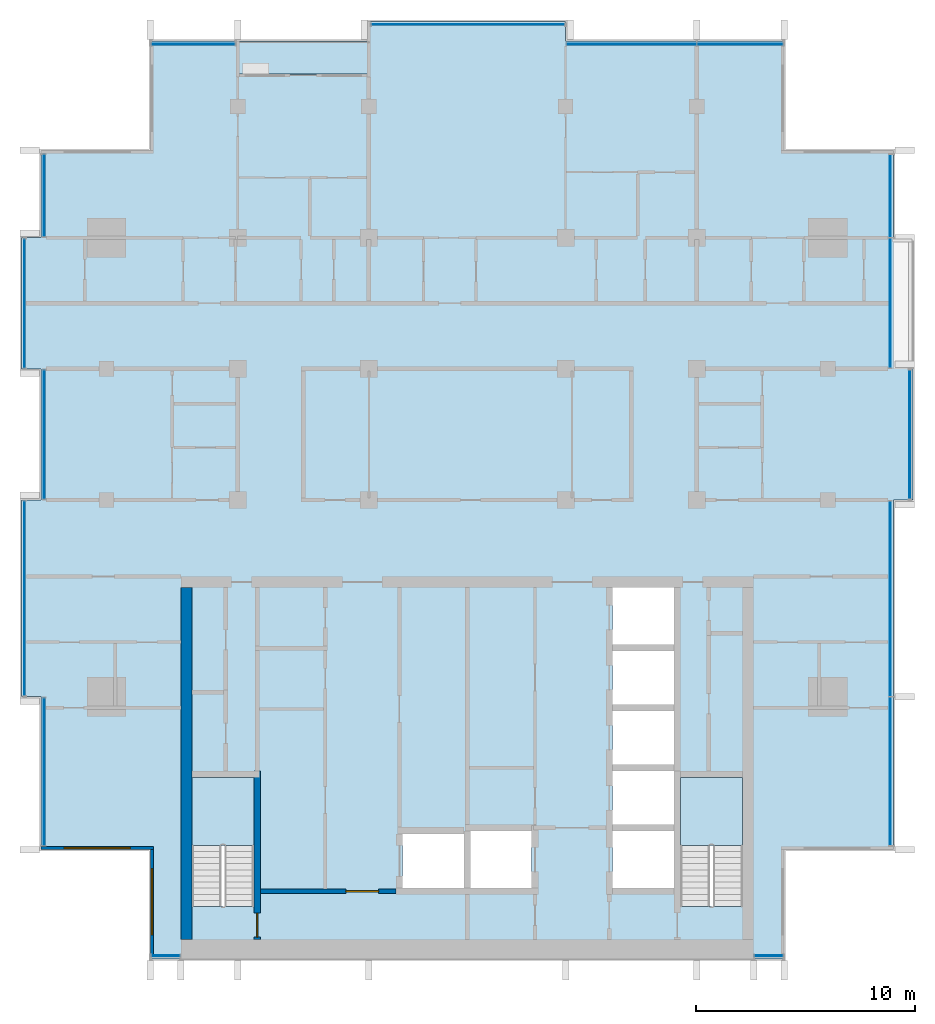
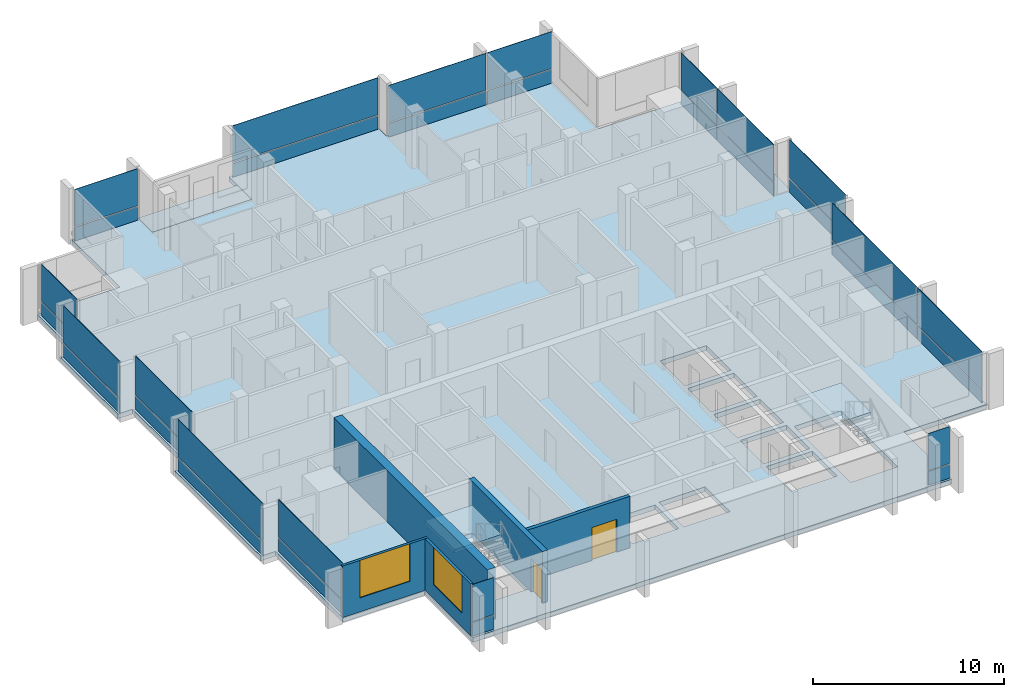
# One storey, part 6 of 16: 32 plates, 5 walls, 4 slabs, 2 doors, 2 windows, 4 openings, 15 elements without a shape of their own.
"""IFC4 building model written with IfcOpenShell, lengths in metres."""

from ifc_helpers import new_model, si_unit, direction, frame, frame_2d, origin, origin_2d, place, context, subcontext, project, spatial, polyline, rectangle, outline, extrude, material, layer, layer_set, type_object, element, fill, aggregate, save


model = new_model("IFC4")

# Units and contexts
model_context = context("Model", 3, precision=1e-05, world=origin(), true_north=direction((0.0, 1.0)))
body_context = subcontext(model_context, "Body", "Model", "MODEL_VIEW")
ifc_project = project(units=[si_unit("LENGTHUNIT", "METRE"), si_unit("AREAUNIT", "SQUARE_METRE"), si_unit("VOLUMEUNIT", "CUBIC_METRE"), si_unit("PLANEANGLEUNIT", "RADIAN"), si_unit("MASSUNIT", "GRAM", prefix="KILO")], contexts=[model_context])

# Site, building, storey
site_placement = place(None, origin())
site = spatial("IfcSite", under=ifc_project, at=site_placement, CompositionType="ELEMENT")
building_placement = place(site_placement, origin())
building = spatial("IfcBuilding", under=site, at=building_placement, Name="Finial Court Residences", CompositionType="ELEMENT")
storey_placement = place(building_placement, frame((0.0, 0.0, 291.5)))
storey = spatial("IfcBuildingStorey", under=building, at=storey_placement, Name="L74", CompositionType="ELEMENT", Elevation=291.5)

# Slab
ifc_material_1 = material(Name="Concrete C35/45", Category="concrete")
ifc_layer_1 = layer(ifc_material_1, 0.199951171875)
ifc_layer_set_1 = layer_set([ifc_layer_1], Name="Balcony slab, Concrete C35/45 200")
slab_type_1 = type_object("IfcSlabType", Name="Balcony slab, Concrete C35/45 200", PredefinedType="FLOOR", material=ifc_layer_set_1)
slab_1_placement = place(storey_placement, frame((0.0, 0.0, -0.199951171875)))
element("IfcSlab", 1, at=slab_1_placement, inside=storey, type_object=slab_type_1, Name="Balcony L74-N2", PredefinedType="FLOOR", context=body_context, shape_type="SweptSolid", body=[
    extrude(outline(polyline([(-4.5, 15.0), (-4.5, 16.5), (-10.5, 16.5), (-10.5, 15.0), (-4.5, 15.0)])), origin(), (0.0, 0.0, 1.0), 0.199951171875),
])

# Curtain wall, plate
ifc_material_2 = material(Name="Bronze anodised aluminium", Category="aluminium")
curtain_wall_type = type_object("IfcCurtainWallType", Name="Unitised curtain wall, upper zones", PredefinedType="NOTDEFINED", material=ifc_material_2)
curtain_wall_1_placement = place(storey_placement, origin())
curtain_wall_1 = element("IfcCurtainWall", 2, at=curtain_wall_1_placement, inside=storey, type_object=curtain_wall_type, Name="E-L74-CW-N1", PredefinedType="NOTDEFINED")
ifc_layer_2 = layer(ifc_material_2, 0.035888671875)
ifc_layer_set_2 = layer_set([ifc_layer_2], Name="CW2 spandrel panel 36")
plate_type_1 = type_object("IfcPlateType", Name="CW2 spandrel panel 36", PredefinedType="CURTAIN_PANEL", material=ifc_layer_set_2)
plate_1_placement = place(storey_placement, frame((-12.53759765625, 16.35009765625, 0.0), z_axis=(0.0, 0.0, 1.0), x_axis=(1.0, 0.0, 0.0)))
plate_1 = element("IfcPlate", 3, at=plate_1_placement, type_object=plate_type_1, Name="CW2 spandrel 1.1", PredefinedType="CURTAIN_PANEL", context=body_context, shape_type="SweptSolid", body=[
    extrude(rectangle(XDim=3.804931640625, YDim=0.035888671875, at=origin_2d()), origin(), (0.0, 0.0, 1.0), 0.8701171875),
])

curtain_wall_2_placement = place(storey_placement, origin())
curtain_wall_2 = element("IfcCurtainWall", 4, at=curtain_wall_2_placement, inside=storey, type_object=curtain_wall_type, Name="E-L74-CW-N2", PredefinedType="NOTDEFINED")
plate_2_placement = place(storey_placement, frame((0.03759765625, 17.25, 0.0), z_axis=(0.0, 0.0, 1.0), x_axis=(1.0, 0.0, 0.0)))
plate_2 = element("IfcPlate", 5, at=plate_2_placement, type_object=plate_type_1, Name="CW2 spandrel 1.1", PredefinedType="CURTAIN_PANEL", context=body_context, shape_type="SweptSolid", body=[
    extrude(rectangle(XDim=8.804931640625, YDim=0.035888671875, at=origin_2d()), origin(), (0.0, 0.0, 1.0), 0.8701171875),
])

# Curtain wall, plates
curtain_wall_3_placement = place(storey_placement, origin())
curtain_wall_3 = element("IfcCurtainWall", 6, at=curtain_wall_3_placement, inside=storey, type_object=curtain_wall_type, Name="E-L74-CW-N3", PredefinedType="NOTDEFINED")
plate_3_placement = place(storey_placement, frame((7.514892578125, 16.35009765625, 0.0), z_axis=(0.0, 0.0, 1.0), x_axis=(1.0, 0.0, 0.0)))
plate_3 = element("IfcPlate", 7, at=plate_3_placement, type_object=plate_type_1, Name="CW2 spandrel 1.1", PredefinedType="CURTAIN_PANEL", context=body_context, shape_type="SweptSolid", body=[
    extrude(rectangle(XDim=5.909912109375, YDim=0.035888671875, at=origin_2d()), origin(), (0.0, 0.0, 1.0), 0.8701171875),
])
plate_4_placement = place(storey_placement, frame((12.485107421875, 16.35009765625, 0.0), z_axis=(0.0, 0.0, 1.0), x_axis=(1.0, 0.0, 0.0)))
plate_4 = element("IfcPlate", 8, at=plate_4_placement, type_object=plate_type_1, Name="CW2 spandrel 2.1", PredefinedType="CURTAIN_PANEL", context=body_context, shape_type="SweptSolid", body=[
    extrude(rectangle(XDim=3.909912109375, YDim=0.035888671875, at=origin_2d()), origin(), (0.0, 0.0, 1.0), 0.8701171875),
])

curtain_wall_4_placement = place(storey_placement, origin())
curtain_wall_4 = element("IfcCurtainWall", 9, at=curtain_wall_4_placement, inside=storey, type_object=curtain_wall_type, Name="E-L74-CW-E4", PredefinedType="NOTDEFINED")
plate_5_placement = place(storey_placement, frame((19.35009765625, -16.909912109375, 0.0), z_axis=(0.0, 0.0, 1.0), x_axis=(0.0, 1.0, 0.0)))
plate_5 = element("IfcPlate", 10, at=plate_5_placement, type_object=plate_type_1, Name="CW2 spandrel 1.1", PredefinedType="CURTAIN_PANEL", context=body_context, shape_type="SweptSolid", body=[
    extrude(rectangle(XDim=6.760009765625, YDim=0.035888671875, at=origin_2d()), origin(), (0.0, 0.0, 1.0), 0.8701171875),
])
plate_6_placement = place(storey_placement, frame((19.35009765625, -9.014892578125, 0.0), z_axis=(0.0, 0.0, 1.0), x_axis=(0.0, 1.0, 0.0)))
plate_6 = element("IfcPlate", 11, at=plate_6_placement, type_object=plate_type_1, Name="CW2 spandrel 2.1", PredefinedType="CURTAIN_PANEL", context=body_context, shape_type="SweptSolid", body=[
    extrude(rectangle(XDim=8.909912109375, YDim=0.035888671875, at=origin_2d()), origin(), (0.0, 0.0, 1.0), 0.8701171875),
])

# Curtain wall, plate
curtain_wall_5_placement = place(storey_placement, origin())
curtain_wall_5 = element("IfcCurtainWall", 12, at=curtain_wall_5_placement, inside=storey, type_object=curtain_wall_type, Name="E-L74-CW-E5", PredefinedType="NOTDEFINED")
plate_7_placement = place(storey_placement, frame((20.25, -1.5, 0.0), z_axis=(0.0, 0.0, 1.0), x_axis=(0.0, 1.0, 0.0)))
plate_7 = element("IfcPlate", 13, at=plate_7_placement, type_object=plate_type_1, Name="CW2 spandrel 1.1", PredefinedType="CURTAIN_PANEL", context=body_context, shape_type="SweptSolid", body=[
    extrude(rectangle(XDim=5.8798828125, YDim=0.035888671875, at=origin_2d()), origin(), (0.0, 0.0, 1.0), 0.8701171875),
])

# Curtain wall, plates
curtain_wall_6_placement = place(storey_placement, origin())
curtain_wall_6 = element("IfcCurtainWall", 14, at=curtain_wall_6_placement, inside=storey, type_object=curtain_wall_type, Name="E-L74-CW-E6", PredefinedType="NOTDEFINED")
plate_8_placement = place(storey_placement, frame((19.35009765625, 4.514892578125, 0.0), z_axis=(0.0, 0.0, 1.0), x_axis=(0.0, 1.0, 0.0)))
plate_8 = element("IfcPlate", 15, at=plate_8_placement, type_object=plate_type_1, Name="CW2 spandrel 1.1", PredefinedType="CURTAIN_PANEL", context=body_context, shape_type="SweptSolid", body=[
    extrude(rectangle(XDim=5.909912109375, YDim=0.035888671875, at=origin_2d()), origin(), (0.0, 0.0, 1.0), 0.8701171875),
])
plate_9_placement = place(storey_placement, frame((19.35009765625, 9.409912109375, 0.0), z_axis=(0.0, 0.0, 1.0), x_axis=(0.0, 1.0, 0.0)))
plate_9 = element("IfcPlate", 16, at=plate_9_placement, type_object=plate_type_1, Name="CW2 spandrel 2.1", PredefinedType="CURTAIN_PANEL", context=body_context, shape_type="SweptSolid", body=[
    extrude(rectangle(XDim=3.760009765625, YDim=0.035888671875, at=origin_2d()), origin(), (0.0, 0.0, 1.0), 0.8701171875),
])

# Curtain wall, plate
curtain_wall_7_placement = place(storey_placement, origin())
curtain_wall_7 = element("IfcCurtainWall", 17, at=curtain_wall_7_placement, inside=storey, type_object=curtain_wall_type, Name="E-L74-CW-S7", PredefinedType="NOTDEFINED")
plate_10_placement = place(storey_placement, frame((-13.800048828125, -25.35009765625, 0.0), z_axis=(0.0, 0.0, 1.0), x_axis=(1.0, 0.0, 0.0)))
plate_10 = element("IfcPlate", 18, at=plate_10_placement, type_object=plate_type_1, Name="CW2 spandrel 1.1", PredefinedType="CURTAIN_PANEL", context=body_context, shape_type="SweptSolid", body=[
    extrude(rectangle(XDim=1.280029296875, YDim=0.035888671875, at=origin_2d()), origin(), (0.0, 0.0, 1.0), 0.8701171875),
])

curtain_wall_8_placement = place(storey_placement, origin())
curtain_wall_8 = element("IfcCurtainWall", 19, at=curtain_wall_8_placement, inside=storey, type_object=curtain_wall_type, Name="E-L74-CW-S8", PredefinedType="NOTDEFINED")
plate_11_placement = place(storey_placement, frame((13.800048828125, -25.35009765625, 0.0), z_axis=(0.0, 0.0, 1.0), x_axis=(1.0, 0.0, 0.0)))
plate_11 = element("IfcPlate", 20, at=plate_11_placement, type_object=plate_type_1, Name="CW2 spandrel 1.1", PredefinedType="CURTAIN_PANEL", context=body_context, shape_type="SweptSolid", body=[
    extrude(rectangle(XDim=1.280029296875, YDim=0.035888671875, at=origin_2d()), origin(), (0.0, 0.0, 1.0), 0.8701171875),
])

curtain_wall_9_placement = place(storey_placement, origin())
curtain_wall_9 = element("IfcCurtainWall", 21, at=curtain_wall_9_placement, inside=storey, type_object=curtain_wall_type, Name="E-L74-CW-W9", PredefinedType="NOTDEFINED")
plate_12_placement = place(storey_placement, frame((-19.35009765625, -16.925048828125, 0.0), z_axis=(0.0, 0.0, 1.0), x_axis=(0.0, 1.0, 0.0)))
plate_12 = element("IfcPlate", 22, at=plate_12_placement, type_object=plate_type_1, Name="CW2 spandrel 1.1", PredefinedType="CURTAIN_PANEL", context=body_context, shape_type="SweptSolid", body=[
    extrude(rectangle(XDim=6.72998046875, YDim=0.035888671875, at=origin_2d()), origin(), (0.0, 0.0, 1.0), 0.8701171875),
])

curtain_wall_10_placement = place(storey_placement, origin())
curtain_wall_10 = element("IfcCurtainWall", 23, at=curtain_wall_10_placement, inside=storey, type_object=curtain_wall_type, Name="E-L74-CW-W10", PredefinedType="NOTDEFINED")
plate_13_placement = place(storey_placement, frame((-20.25, -9.0, 0.0), z_axis=(0.0, 0.0, 1.0), x_axis=(0.0, 1.0, 0.0)))
plate_13 = element("IfcPlate", 24, at=plate_13_placement, type_object=plate_type_1, Name="CW2 spandrel 1.1", PredefinedType="CURTAIN_PANEL", context=body_context, shape_type="SweptSolid", body=[
    extrude(rectangle(XDim=8.8798828125, YDim=0.035888671875, at=origin_2d()), origin(), (0.0, 0.0, 1.0), 0.8701171875),
])

curtain_wall_11_placement = place(storey_placement, origin())
curtain_wall_11 = element("IfcCurtainWall", 25, at=curtain_wall_11_placement, inside=storey, type_object=curtain_wall_type, Name="E-L74-CW-W11", PredefinedType="NOTDEFINED")
plate_14_placement = place(storey_placement, frame((-19.35009765625, -1.5, 0.0), z_axis=(0.0, 0.0, 1.0), x_axis=(0.0, 1.0, 0.0)))
plate_14 = element("IfcPlate", 26, at=plate_14_placement, type_object=plate_type_1, Name="CW2 spandrel 1.1", PredefinedType="CURTAIN_PANEL", context=body_context, shape_type="SweptSolid", body=[
    extrude(rectangle(XDim=5.8798828125, YDim=0.035888671875, at=origin_2d()), origin(), (0.0, 0.0, 1.0), 0.8701171875),
])

curtain_wall_12_placement = place(storey_placement, origin())
curtain_wall_12 = element("IfcCurtainWall", 27, at=curtain_wall_12_placement, inside=storey, type_object=curtain_wall_type, Name="E-L74-CW-W12", PredefinedType="NOTDEFINED")
plate_15_placement = place(storey_placement, frame((-20.25, 4.5, 0.0), z_axis=(0.0, 0.0, 1.0), x_axis=(0.0, 1.0, 0.0)))
plate_15 = element("IfcPlate", 28, at=plate_15_placement, type_object=plate_type_1, Name="CW2 spandrel 1.1", PredefinedType="CURTAIN_PANEL", context=body_context, shape_type="SweptSolid", body=[
    extrude(rectangle(XDim=5.8798828125, YDim=0.035888671875, at=origin_2d()), origin(), (0.0, 0.0, 1.0), 0.8701171875),
])

curtain_wall_13_placement = place(storey_placement, origin())
curtain_wall_13 = element("IfcCurtainWall", 29, at=curtain_wall_13_placement, inside=storey, type_object=curtain_wall_type, Name="E-L74-CW-W13", PredefinedType="NOTDEFINED")
plate_16_placement = place(storey_placement, frame((-19.35009765625, 9.425048828125, 0.0), z_axis=(0.0, 0.0, 1.0), x_axis=(0.0, 1.0, 0.0)))
plate_16 = element("IfcPlate", 30, at=plate_16_placement, type_object=plate_type_1, Name="CW2 spandrel 1.1", PredefinedType="CURTAIN_PANEL", context=body_context, shape_type="SweptSolid", body=[
    extrude(rectangle(XDim=3.72998046875, YDim=0.035888671875, at=origin_2d()), origin(), (0.0, 0.0, 1.0), 0.8701171875),
])

# Plate
ifc_material_3 = material(Name="Clear low-e glass", Category="glass")
ifc_layer_3 = layer(ifc_material_3, 0.030029296875)
ifc_layer_set_3 = layer_set([ifc_layer_3], Name="CW2 vision glass 30")
plate_type_2 = type_object("IfcPlateType", Name="CW2 vision glass 30", PredefinedType="CURTAIN_PANEL", material=ifc_layer_set_3)
plate_17_placement = place(storey_placement, frame((-12.53759765625, 16.35009765625, 0.929931640625), z_axis=(0.0, 0.0, 1.0), x_axis=(1.0, 0.0, 0.0)))
plate_17 = element("IfcPlate", 31, at=plate_17_placement, type_object=plate_type_2, Name="CW2 glass 1.2", PredefinedType="CURTAIN_PANEL", context=body_context, shape_type="SweptSolid", body=[
    extrude(rectangle(XDim=3.804931640625, YDim=0.030029296875, at=origin_2d()), origin(), (0.0, 0.0, 1.0), 2.3701171875),
])

aggregate(curtain_wall_1, [plate_1, plate_17])

plate_18_placement = place(storey_placement, frame((0.03759765625, 17.25, 0.929931640625), z_axis=(0.0, 0.0, 1.0), x_axis=(1.0, 0.0, 0.0)))
plate_18 = element("IfcPlate", 32, at=plate_18_placement, type_object=plate_type_2, Name="CW2 glass 1.2", PredefinedType="CURTAIN_PANEL", context=body_context, shape_type="SweptSolid", body=[
    extrude(rectangle(XDim=8.804931640625, YDim=0.030029296875, at=origin_2d()), origin(), (0.0, 0.0, 1.0), 2.3701171875),
])

aggregate(curtain_wall_2, [plate_2, plate_18])

plate_19_placement = place(storey_placement, frame((7.514892578125, 16.35009765625, 0.929931640625), z_axis=(0.0, 0.0, 1.0), x_axis=(1.0, 0.0, 0.0)))
plate_19 = element("IfcPlate", 33, at=plate_19_placement, type_object=plate_type_2, Name="CW2 glass 1.2", PredefinedType="CURTAIN_PANEL", context=body_context, shape_type="SweptSolid", body=[
    extrude(rectangle(XDim=5.909912109375, YDim=0.030029296875, at=origin_2d()), origin(), (0.0, 0.0, 1.0), 2.3701171875),
])

plate_20_placement = place(storey_placement, frame((12.485107421875, 16.35009765625, 0.929931640625), z_axis=(0.0, 0.0, 1.0), x_axis=(1.0, 0.0, 0.0)))
plate_20 = element("IfcPlate", 34, at=plate_20_placement, type_object=plate_type_2, Name="CW2 glass 2.2", PredefinedType="CURTAIN_PANEL", context=body_context, shape_type="SweptSolid", body=[
    extrude(rectangle(XDim=3.909912109375, YDim=0.030029296875, at=origin_2d()), origin(), (0.0, 0.0, 1.0), 2.3701171875),
])

aggregate(curtain_wall_3, [plate_3, plate_19, plate_4, plate_20])

plate_21_placement = place(storey_placement, frame((19.35009765625, -16.909912109375, 0.929931640625), z_axis=(0.0, 0.0, 1.0), x_axis=(0.0, 1.0, 0.0)))
plate_21 = element("IfcPlate", 35, at=plate_21_placement, type_object=plate_type_2, Name="CW2 glass 1.2", PredefinedType="CURTAIN_PANEL", context=body_context, shape_type="SweptSolid", body=[
    extrude(rectangle(XDim=6.760009765625, YDim=0.030029296875, at=origin_2d()), origin(), (0.0, 0.0, 1.0), 2.3701171875),
])

plate_22_placement = place(storey_placement, frame((19.35009765625, -9.014892578125, 0.929931640625), z_axis=(0.0, 0.0, 1.0), x_axis=(0.0, 1.0, 0.0)))
plate_22 = element("IfcPlate", 36, at=plate_22_placement, type_object=plate_type_2, Name="CW2 glass 2.2", PredefinedType="CURTAIN_PANEL", context=body_context, shape_type="SweptSolid", body=[
    extrude(rectangle(XDim=8.909912109375, YDim=0.030029296875, at=origin_2d()), origin(), (0.0, 0.0, 1.0), 2.3701171875),
])

aggregate(curtain_wall_4, [plate_5, plate_21, plate_6, plate_22])

plate_23_placement = place(storey_placement, frame((20.25, -1.5, 0.93017578125), z_axis=(0.0, 0.0, 1.0), x_axis=(0.0, 1.0, 0.0)))
plate_23 = element("IfcPlate", 37, at=plate_23_placement, type_object=plate_type_2, Name="CW2 glass 1.2", PredefinedType="CURTAIN_PANEL", context=body_context, shape_type="SweptSolid", body=[
    extrude(rectangle(XDim=5.8798828125, YDim=0.030029296875, at=origin_2d()), origin(), (0.0, 0.0, 1.0), 2.469970703125),
])

aggregate(curtain_wall_5, [plate_7, plate_23])

plate_24_placement = place(storey_placement, frame((19.35009765625, 4.514892578125, 0.929931640625), z_axis=(0.0, 0.0, 1.0), x_axis=(0.0, 1.0, 0.0)))
plate_24 = element("IfcPlate", 38, at=plate_24_placement, type_object=plate_type_2, Name="CW2 glass 1.2", PredefinedType="CURTAIN_PANEL", context=body_context, shape_type="SweptSolid", body=[
    extrude(rectangle(XDim=5.909912109375, YDim=0.030029296875, at=origin_2d()), origin(), (0.0, 0.0, 1.0), 2.3701171875),
])

plate_25_placement = place(storey_placement, frame((19.35009765625, 9.409912109375, 0.929931640625), z_axis=(0.0, 0.0, 1.0), x_axis=(0.0, 1.0, 0.0)))
plate_25 = element("IfcPlate", 39, at=plate_25_placement, type_object=plate_type_2, Name="CW2 glass 2.2", PredefinedType="CURTAIN_PANEL", context=body_context, shape_type="SweptSolid", body=[
    extrude(rectangle(XDim=3.760009765625, YDim=0.030029296875, at=origin_2d()), origin(), (0.0, 0.0, 1.0), 2.3701171875),
])

aggregate(curtain_wall_6, [plate_8, plate_24, plate_9, plate_25])

plate_26_placement = place(storey_placement, frame((-13.800048828125, -25.35009765625, 0.929931640625), z_axis=(0.0, 0.0, 1.0), x_axis=(1.0, 0.0, 0.0)))
plate_26 = element("IfcPlate", 40, at=plate_26_placement, type_object=plate_type_2, Name="CW2 glass 1.2", PredefinedType="CURTAIN_PANEL", context=body_context, shape_type="SweptSolid", body=[
    extrude(rectangle(XDim=1.280029296875, YDim=0.030029296875, at=origin_2d()), origin(), (0.0, 0.0, 1.0), 2.3701171875),
])

aggregate(curtain_wall_7, [plate_10, plate_26])

plate_27_placement = place(storey_placement, frame((13.800048828125, -25.35009765625, 0.929931640625), z_axis=(0.0, 0.0, 1.0), x_axis=(1.0, 0.0, 0.0)))
plate_27 = element("IfcPlate", 41, at=plate_27_placement, type_object=plate_type_2, Name="CW2 glass 1.2", PredefinedType="CURTAIN_PANEL", context=body_context, shape_type="SweptSolid", body=[
    extrude(rectangle(XDim=1.280029296875, YDim=0.030029296875, at=origin_2d()), origin(), (0.0, 0.0, 1.0), 2.3701171875),
])

aggregate(curtain_wall_8, [plate_11, plate_27])

plate_28_placement = place(storey_placement, frame((-19.35009765625, -16.925048828125, 0.929931640625), z_axis=(0.0, 0.0, 1.0), x_axis=(0.0, 1.0, 0.0)))
plate_28 = element("IfcPlate", 42, at=plate_28_placement, type_object=plate_type_2, Name="CW2 glass 1.2", PredefinedType="CURTAIN_PANEL", context=body_context, shape_type="SweptSolid", body=[
    extrude(rectangle(XDim=6.72998046875, YDim=0.030029296875, at=origin_2d()), origin(), (0.0, 0.0, 1.0), 2.3701171875),
])

aggregate(curtain_wall_9, [plate_12, plate_28])

plate_29_placement = place(storey_placement, frame((-20.25, -9.0, 0.929931640625), z_axis=(0.0, 0.0, 1.0), x_axis=(0.0, 1.0, 0.0)))
plate_29 = element("IfcPlate", 43, at=plate_29_placement, type_object=plate_type_2, Name="CW2 glass 1.2", PredefinedType="CURTAIN_PANEL", context=body_context, shape_type="SweptSolid", body=[
    extrude(rectangle(XDim=8.8798828125, YDim=0.030029296875, at=origin_2d()), origin(), (0.0, 0.0, 1.0), 2.3701171875),
])

aggregate(curtain_wall_10, [plate_13, plate_29])

plate_30_placement = place(storey_placement, frame((-19.35009765625, -1.5, 0.93017578125), z_axis=(0.0, 0.0, 1.0), x_axis=(0.0, 1.0, 0.0)))
plate_30 = element("IfcPlate", 44, at=plate_30_placement, type_object=plate_type_2, Name="CW2 glass 1.2", PredefinedType="CURTAIN_PANEL", context=body_context, shape_type="SweptSolid", body=[
    extrude(rectangle(XDim=5.8798828125, YDim=0.030029296875, at=origin_2d()), origin(), (0.0, 0.0, 1.0), 2.469970703125),
])

aggregate(curtain_wall_11, [plate_14, plate_30])

plate_31_placement = place(storey_placement, frame((-20.25, 4.5, 0.929931640625), z_axis=(0.0, 0.0, 1.0), x_axis=(0.0, 1.0, 0.0)))
plate_31 = element("IfcPlate", 45, at=plate_31_placement, type_object=plate_type_2, Name="CW2 glass 1.2", PredefinedType="CURTAIN_PANEL", context=body_context, shape_type="SweptSolid", body=[
    extrude(rectangle(XDim=5.8798828125, YDim=0.030029296875, at=origin_2d()), origin(), (0.0, 0.0, 1.0), 2.3701171875),
])

aggregate(curtain_wall_12, [plate_15, plate_31])

plate_32_placement = place(storey_placement, frame((-19.35009765625, 9.425048828125, 0.929931640625), z_axis=(0.0, 0.0, 1.0), x_axis=(0.0, 1.0, 0.0)))
plate_32 = element("IfcPlate", 46, at=plate_32_placement, type_object=plate_type_2, Name="CW2 glass 1.2", PredefinedType="CURTAIN_PANEL", context=body_context, shape_type="SweptSolid", body=[
    extrude(rectangle(XDim=3.72998046875, YDim=0.030029296875, at=origin_2d()), origin(), (0.0, 0.0, 1.0), 2.3701171875),
])

aggregate(curtain_wall_13, [plate_16, plate_32])

# Stair, slab
ifc_material_4 = material(Name="Concrete C50/60", Category="concrete")
stair_type = type_object("IfcStairType", Name="Exit stair 22 risers of 163.6 mm", PredefinedType="HALF_TURN_STAIR", material=ifc_material_4)
stair_1_placement = place(storey_placement, origin())
stair_1 = element("IfcStair", 47, at=stair_1_placement, inside=storey, type_object=stair_type, Name="L74 Exit stair ST-1", PredefinedType="HALF_TURN_STAIR")
ifc_layer_4 = layer(ifc_material_4, 0.199951171875)
ifc_layer_set_4 = layer_set([ifc_layer_4], Name="Exit stair landing")
slab_type_2 = type_object("IfcSlabType", Name="Exit stair landing", PredefinedType="LANDING", material=ifc_layer_set_4)
slab_2_placement = place(storey_placement, frame((0.0, 0.0, 1.60009765625)))
slab_2 = element("IfcSlab", 48, at=slab_2_placement, type_object=slab_type_2, Name="ST-1 landing 1", PredefinedType="LANDING", context=body_context, shape_type="SweptSolid", body=[
    extrude(outline(polyline([(-9.75, -20.300048828125), (-9.75, -17.199951171875), (-12.60009765625, -17.199951171875), (-12.60009765625, -20.300048828125), (-9.75, -20.300048828125)])), origin(), (0.0, 0.0, 1.0), 0.199951171875),
])
aggregate(stair_1, [slab_2])

stair_2_placement = place(storey_placement, origin())
stair_2 = element("IfcStair", 49, at=stair_2_placement, inside=storey, type_object=stair_type, Name="L74 Exit stair ST-2", PredefinedType="HALF_TURN_STAIR")
slab_3_placement = place(storey_placement, frame((0.0, 0.0, 1.60009765625)))
slab_3 = element("IfcSlab", 50, at=slab_3_placement, type_object=slab_type_2, Name="ST-2 landing 1", PredefinedType="LANDING", context=body_context, shape_type="SweptSolid", body=[
    extrude(outline(polyline([(12.60009765625, -20.300048828125), (12.60009765625, -17.199951171875), (9.75, -17.199951171875), (9.75, -20.300048828125), (12.60009765625, -20.300048828125)])), origin(), (0.0, 0.0, 1.0), 0.199951171875),
])
aggregate(stair_2, [slab_3])

# Slab
ifc_material_5 = material(Name="Concrete C40/50", Category="concrete")
ifc_layer_5 = layer(ifc_material_5, 0.300048828125)
ifc_layer_set_5 = layer_set([ifc_layer_5], Name="Flat plate slab 300 Concrete C40/50")
slab_type_3 = type_object("IfcSlabType", Name="Flat plate slab 300 Concrete C40/50", PredefinedType="FLOOR", material=ifc_layer_set_5)
slab_4_placement = place(storey_placement, frame((0.0, 0.0, -0.300048828125)))
element("IfcSlab", 51, at=slab_4_placement, inside=storey, type_object=slab_type_3, Name="S:SLAB:L74", PredefinedType="FLOOR", context=body_context, shape_type="SweptSolid", body=[
    extrude(outline(polyline([(-20.39990234375, 7.5), (-19.5, 7.5), (-19.5, 11.5), (-14.5, 11.5), (-14.5, 16.5), (-10.5, 16.5), (-10.5, 15.0), (-4.5, 15.0), (-4.5, 16.5), (-4.5, 17.39990234375), (4.5, 17.39990234375), (4.5, 16.5), (14.5, 16.5), (14.5, 11.5), (19.5, 11.5), (19.5, 7.5), (20.39990234375, 7.5), (20.39990234375, 1.5), (20.39990234375, -4.5), (19.5, -4.5), (19.5, -20.5), (14.5, -20.5), (14.5, -25.5), (-14.5, -25.5), (-14.5, -20.5), (-19.5, -20.5), (-19.5, -13.5), (-20.39990234375, -13.5), (-20.39990234375, -4.5), (-19.5, -4.5), (-19.5, 1.5), (-20.39990234375, 1.5), (-20.39990234375, 7.5)]), holes=[polyline([(-0.14990234375, -19.77001953125), (-2.949951171875, -19.77001953125), (-2.949951171875, -22.25), (-0.14990234375, -22.25), (-0.14990234375, -19.77001953125)]), polyline([(2.949951171875, -19.64990234375), (0.14990234375, -19.64990234375), (0.14990234375, -22.25), (2.949951171875, -22.25), (2.949951171875, -19.64990234375)]), polyline([(9.449951171875, -19.64990234375), (6.64990234375, -19.64990234375), (6.64990234375, -22.25), (9.449951171875, -22.25), (9.449951171875, -19.64990234375)]), polyline([(-12.60009765625, -17.199951171875), (-12.60009765625, -23.09912109375), (-9.75, -23.09912109375), (-9.75, -17.199951171875), (-12.60009765625, -17.199951171875)]), polyline([(9.75, -17.199951171875), (9.75, -23.09912109375), (12.60009765625, -23.09912109375), (12.60009765625, -17.199951171875), (9.75, -17.199951171875)]), polyline([(9.449951171875, -16.89990234375), (6.64990234375, -16.89990234375), (6.64990234375, -19.35009765625), (9.449951171875, -19.35009765625), (9.449951171875, -16.89990234375)]), polyline([(9.449951171875, -14.14990234375), (6.64990234375, -14.14990234375), (6.64990234375, -16.60009765625), (9.449951171875, -16.60009765625), (9.449951171875, -14.14990234375)]), polyline([(9.449951171875, -13.85009765625), (9.449951171875, -11.39990234375), (6.64990234375, -11.39990234375), (6.64990234375, -13.85009765625), (9.449951171875, -13.85009765625)]), polyline([(9.449951171875, -11.10009765625), (9.449951171875, -8.5), (6.64990234375, -8.5), (6.64990234375, -11.10009765625), (9.449951171875, -11.10009765625)])]), origin(), (0.0, 0.0, 1.0), 0.300048828125),
])

# Wall
ifc_layer_6 = layer(ifc_material_4, 0.5)
ifc_layer_set_6 = layer_set([ifc_layer_6], Name="Core outer wall 500 Concrete C50/60")
wall_type_1 = type_object("IfcWallType", Name="Core outer wall 500 Concrete C50/60", PredefinedType="SHEAR", material=ifc_layer_set_6)
wall_1_placement = place(storey_placement, frame((-12.85009765625, -24.60009765625, 0.0), z_axis=(0.0, 0.0, 1.0), x_axis=(0.0, 1.0, 0.0)))
element("IfcWall", 52, at=wall_1_placement, inside=storey, type_object=wall_type_1, Name="Core outer wall L74-03", PredefinedType="SHEAR", context=body_context, shape_type="SweptSolid", body=[
    extrude(rectangle(XDim=16.10009765625, YDim=0.5, at=frame_2d((8.050048828125, 0.0))), origin(), (0.0, 0.0, 1.0), 3.300048828125),
])

# Wall, opening, door
ifc_layer_7 = layer(ifc_material_4, 0.300048828125)
ifc_layer_set_7 = layer_set([ifc_layer_7], Name="Lift shaft and stair wall 300 Concrete C50/60")
wall_type_2 = type_object("IfcWallType", Name="Lift shaft and stair wall 300 Concrete C50/60", PredefinedType="SHEAR", material=ifc_layer_set_7)
wall_2_placement = place(storey_placement, frame((-9.60009765625, -24.60009765625, 0.0), z_axis=(0.0, 0.0, 1.0), x_axis=(0.0, 1.0, 0.0)))
wall_2 = element("IfcWall", 53, at=wall_2_placement, inside=storey, type_object=wall_type_2, Name="Core wall L74-20", PredefinedType="SHEAR", context=body_context, shape_type="SweptSolid", body=[
    extrude(rectangle(XDim=7.7001953125, YDim=0.300048828125, at=frame_2d((3.85009765625, 0.0))), origin(), (0.0, 0.0, 1.0), 3.300048828125),
])
opening_1_placement = place(wall_2_placement, frame((0.10009765625, 0.0, 0.0)))
opening_1 = element("IfcOpeningElement", 54, at=opening_1_placement, cuts=wall_2, Name="Opening L74-C19", PredefinedType="OPENING", context=body_context, shape_type="SweptSolid", body=[
    extrude(rectangle(XDim=1.10009765625, YDim=2.10009765625, at=frame_2d((0.550048828125, 1.050048828125))), frame((0.0, 0.159912109375, 0.0), z_axis=(0.0, -1.0, 0.0), x_axis=(1.0, 0.0, 0.0)), (0.0, 0.0, 1.0), 0.320068359375),
])
ifc_material_6 = material(Name="Steel fire door", Category="steel")
door_type_1 = type_object("IfcDoorType", Name="Stair door 1100 x 2100 EI 90", OperationType="NOTDEFINED", PredefinedType="DOOR", material=ifc_material_6)
door_1_placement = place(opening_1_placement, origin())
door_1 = element("IfcDoor", 55, at=door_1_placement, inside=storey, type_object=door_type_1, Name="Stair door L74-C19", OperationType="SINGLE_SWING_LEFT", OverallHeight=2.10009765625, OverallWidth=1.10009765625, PredefinedType="DOOR", context=body_context, shape_type="SweptSolid", body=[
    extrude(rectangle(XDim=1.10009765625, YDim=2.10009765625, at=frame_2d((0.550048828125, 1.050048828125))), frame((0.0, 0.02490234375, 0.0), z_axis=(0.0, -1.0, 0.0), x_axis=(1.0, 0.0, 0.0)), (0.0, 0.0, 1.0), 0.050048828125),
])
fill(opening_1, door_1)

# Wall, opening, window
ifc_material_7 = material(Name="Natural limestone", Category="masonry")
ifc_layer_8 = layer(ifc_material_7, 0.14990234375)
ifc_layer_set_8 = layer_set([ifc_layer_8], Name="Limestone clad wall 150")
wall_type_3 = type_object("IfcWallType", Name="Limestone clad wall 150", PredefinedType="SOLIDWALL", material=ifc_layer_set_8)
wall_3_placement = place(storey_placement, frame((-14.425048828125, -25.262451171875, 0.0), z_axis=(0.0, 0.0, 1.0), x_axis=(0.0, 1.0, 0.0)))
wall_3 = element("IfcWall", 56, at=wall_3_placement, inside=storey, type_object=wall_type_3, Name="E-L74-NWW14", PredefinedType="SOLIDWALL", context=body_context, shape_type="SweptSolid", body=[
    extrude(rectangle(XDim=4.762451171875, YDim=0.14990234375, at=frame_2d((2.38134765625, 0.0))), origin(), (0.0, 0.0, 1.0), 3.300048828125),
])
opening_2_placement = place(wall_3_placement, frame((0.881103515625, 0.0, 0.89990234375)))
opening_2 = element("IfcOpeningElement", 57, at=opening_2_placement, cuts=wall_3, Name="Opening WE74-01", PredefinedType="OPENING", context=body_context, shape_type="SweptSolid", body=[
    extrude(rectangle(XDim=3.0, YDim=2.39990234375, at=frame_2d((1.5, 1.199951171875))), frame((0.0, 0.0849609375, 0.0), z_axis=(0.0, -1.0, 0.0), x_axis=(1.0, 0.0, 0.0)), (0.0, 0.0, 1.0), 0.169921875),
])
window_type = type_object("IfcWindowType", Name="Corner window 3000 x 2400", PartitioningType="SINGLE_PANEL", PredefinedType="WINDOW", material=ifc_material_3)
window_1_placement = place(opening_2_placement, origin())
window_1 = element("IfcWindow", 58, at=window_1_placement, inside=storey, type_object=window_type, Name="E-L74-NWW14-W1", OverallHeight=2.39990234375, OverallWidth=3.0, PartitioningType="SINGLE_PANEL", PredefinedType="WINDOW", context=body_context, shape_type="SweptSolid", body=[
    extrude(rectangle(XDim=3.0, YDim=2.39990234375, at=frame_2d((1.5, 1.199951171875))), frame((0.0, 0.030029296875, 0.0), z_axis=(0.0, -1.0, 0.0), x_axis=(1.0, 0.0, 0.0)), (0.0, 0.0, 1.0), 0.06005859375),
])
fill(opening_2, window_1)

wall_4_placement = place(storey_placement, frame((-14.35009765625, -20.425048828125, 0.0), z_axis=(0.0, 0.0, 1.0), x_axis=(-1.0, 0.0, 0.0)))
wall_4 = element("IfcWall", 59, at=wall_4_placement, inside=storey, type_object=wall_type_3, Name="E-L74-NWS15", PredefinedType="SOLIDWALL", context=body_context, shape_type="SweptSolid", body=[
    extrude(rectangle(XDim=5.14990234375, YDim=0.14990234375, at=frame_2d((2.574951171875, 0.0))), origin(), (0.0, 0.0, 1.0), 3.300048828125),
])
opening_3_placement = place(wall_4_placement, frame((1.074951171875, 0.0, 0.89990234375)))
opening_3 = element("IfcOpeningElement", 60, at=opening_3_placement, cuts=wall_4, Name="Opening WE74-02", PredefinedType="OPENING", context=body_context, shape_type="SweptSolid", body=[
    extrude(rectangle(XDim=3.0, YDim=2.39990234375, at=frame_2d((1.5, 1.199951171875))), frame((0.0, 0.0849609375, 0.0), z_axis=(0.0, -1.0, 0.0), x_axis=(1.0, 0.0, 0.0)), (0.0, 0.0, 1.0), 0.169921875),
])
window_2_placement = place(opening_3_placement, origin())
window_2 = element("IfcWindow", 61, at=window_2_placement, inside=storey, type_object=window_type, Name="E-L74-NWS15-W1", OverallHeight=2.39990234375, OverallWidth=3.0, PartitioningType="SINGLE_PANEL", PredefinedType="WINDOW", context=body_context, shape_type="SweptSolid", body=[
    extrude(rectangle(XDim=3.0, YDim=2.39990234375, at=frame_2d((1.5, 1.199951171875))), frame((0.0, 0.030029296875, 0.0), z_axis=(0.0, -1.0, 0.0), x_axis=(1.0, 0.0, 0.0)), (0.0, 0.0, 1.0), 0.06005859375),
])
fill(opening_3, window_2)

# Wall, opening, door
ifc_material_8 = material(Name="Fire-rated gypsum board partition")
ifc_layer_9 = layer(ifc_material_8, 0.199951171875)
ifc_layer_set_9 = layer_set([ifc_layer_9], Name="Stair passage wall 200 EI 180")
wall_type_4 = type_object("IfcWallType", Name="Stair passage wall 200 EI 180", PredefinedType="PARTITIONING", material=ifc_layer_set_9)
wall_5_placement = place(storey_placement, frame((-3.25, -22.39990234375, 0.0), z_axis=(0.0, 0.0, 1.0), x_axis=(-1.0, 0.0, 0.0)))
wall_5 = element("IfcWall", 62, at=wall_5_placement, inside=storey, type_object=wall_type_4, Name="Core partition L74-01", PredefinedType="PARTITIONING", context=body_context, shape_type="SweptSolid", body=[
    extrude(rectangle(XDim=6.199951171875, YDim=0.199951171875, at=frame_2d((3.10009765625, 0.0))), origin(), (0.0, 0.0, 1.0), 3.300048828125),
])
opening_4_placement = place(wall_5_placement, frame((0.800048828125, 0.0, 0.0)))
opening_4 = element("IfcOpeningElement", 63, at=opening_4_placement, cuts=wall_5, Name="Opening L74-C03", PredefinedType="OPENING", context=body_context, shape_type="SweptSolid", body=[
    extrude(rectangle(XDim=1.5, YDim=2.10009765625, at=frame_2d((0.75, 1.050048828125))), frame((0.0, 0.10986328125, 0.0), z_axis=(0.0, -1.0, 0.0), x_axis=(1.0, 0.0, 0.0)), (0.0, 0.0, 1.0), 0.219970703125),
])
door_type_2 = type_object("IfcDoorType", Name="Lift lobby door 1500 x 2100 EI 60", OperationType="DOUBLE_DOOR_SINGLE_SWING", PredefinedType="DOOR", material=ifc_material_6)
door_2_placement = place(opening_4_placement, origin())
door_2 = element("IfcDoor", 64, at=door_2_placement, inside=storey, type_object=door_type_2, Name="Lift lobby door L74-C03", OperationType="DOUBLE_DOOR_SINGLE_SWING", OverallHeight=2.10009765625, OverallWidth=1.5, PredefinedType="DOOR", context=body_context, shape_type="SweptSolid", body=[
    extrude(rectangle(XDim=1.5, YDim=2.10009765625, at=frame_2d((0.75, 1.050048828125))), frame((0.0, 0.02490234375, 0.0), z_axis=(0.0, -1.0, 0.0), x_axis=(1.0, 0.0, 0.0)), (0.0, 0.0, 1.0), 0.050048828125),
])
fill(opening_4, door_2)

save(model, "model.ifc")
